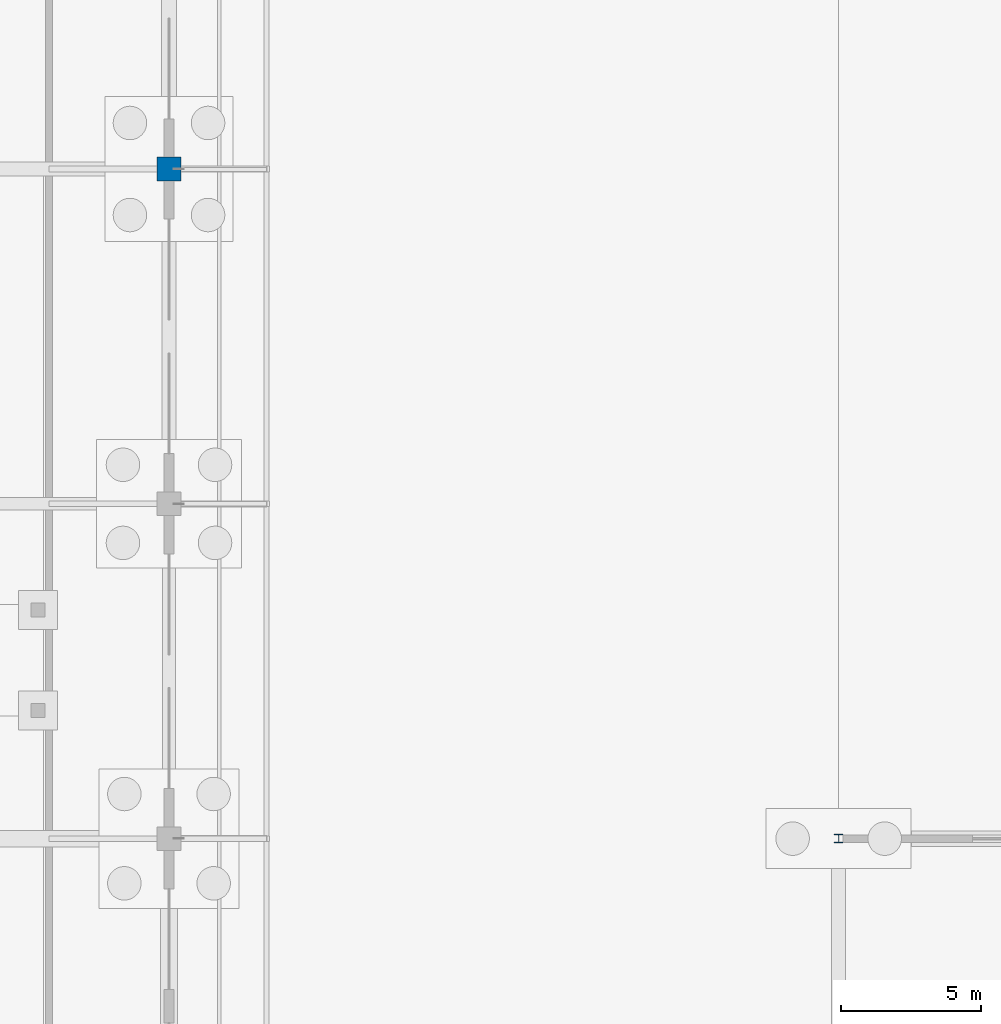
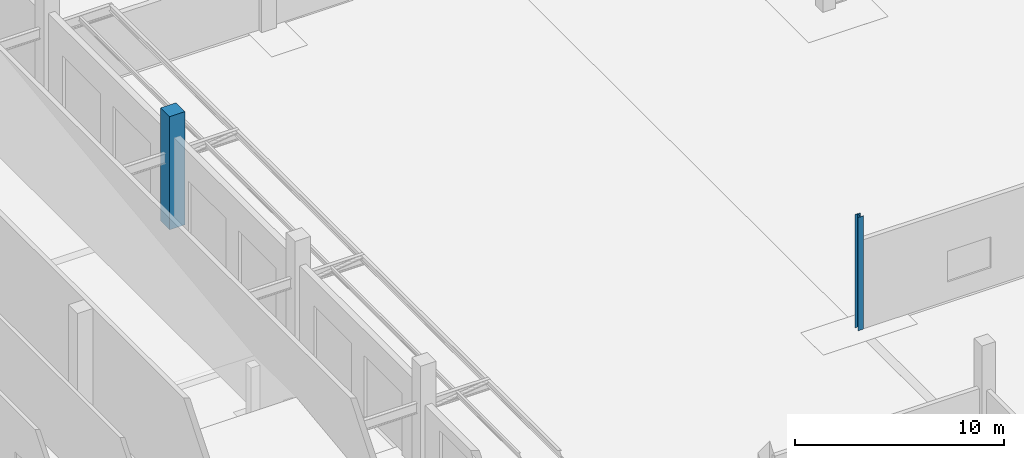
# One storey, part 18 of 117: 2 columns.
"""IFC4 building model written with IfcOpenShell, lengths in metres."""

from ifc_helpers import new_model, si_unit, direction, frame, origin, origin_2d, place, context, subcontext, project, spatial, rectangle, i_section, extrude, material, material_profile, profile_set, type_object, element, save


model = new_model("IFC4")

# Units and contexts
model_context = context("Model", 3, precision=1e-05, world=origin(), true_north=direction((0.0, 1.0)))
body_context = subcontext(model_context, "Body", "Model", "MODEL_VIEW")
ifc_project = project(units=[si_unit("LENGTHUNIT", "METRE"), si_unit("AREAUNIT", "SQUARE_METRE"), si_unit("VOLUMEUNIT", "CUBIC_METRE"), si_unit("PLANEANGLEUNIT", "RADIAN"), si_unit("MASSUNIT", "GRAM", prefix="KILO")], contexts=[model_context])

# Site, building, storey
site_placement = place(None, origin())
site = spatial("IfcSite", under=ifc_project, at=site_placement, CompositionType="ELEMENT")
building_placement = place(site_placement, origin())
building = spatial("IfcBuilding", under=site, at=building_placement, Name="Kamomehara Wholesale Market", CompositionType="ELEMENT")
storey_placement = place(building_placement, origin())
storey = spatial("IfcBuildingStorey", under=building, at=storey_placement, Name="L00", CompositionType="ELEMENT", Elevation=0.0)

# Columns
ifc_material_1 = material(Name="Precast concrete Fc45 (C40/50)", Category="concrete")
ifc_material_profile_1 = material_profile(ifc_material_1, rectangle(XDim=0.85009765625, YDim=0.85009765625, at=origin_2d()), Name="PC-COL-850x850")
ifc_profile_set_1 = profile_set([ifc_material_profile_1], Name="Precast concrete Fc45 (C40/50)")
column_type_1 = type_object("IfcColumnType", Name="COL-PC850-EXT", PredefinedType="COLUMN", material=ifc_profile_set_1)
column_1_placement = place(storey_placement, frame((36.0, 96.0, 0.0), z_axis=(0.0, 0.0, 1.0), x_axis=(1.0, 0.0, 0.0)))
element("IfcColumn", 1, at=column_1_placement, inside=storey, type_object=column_type_1, Name="Column C-02E L00", PredefinedType="COLUMN", context=body_context, shape_type="SweptSolid", body=[
    extrude(rectangle(XDim=0.85009765625, YDim=0.85009765625, at=origin_2d()), origin(), (0.0, 0.0, 1.0), 6.60009765625),
])
ifc_material_2 = material(Name="Steel SN490B", Category="steel")
ifc_material_profile_2 = material_profile(ifc_material_2, i_section(OverallWidth=0.300048828125, OverallDepth=0.300048828125, WebThickness=0.010009765625, FlangeThickness=0.014892578125, FilletRadius=0.012939453125, at=origin_2d()), Name="H-300x300x10x15")
ifc_profile_set_2 = profile_set([ifc_material_profile_2], Name="Steel SN490B")
column_type_2 = type_object("IfcColumnType", Name="COL-ST-H300-EXT", PredefinedType="COLUMN", material=ifc_profile_set_2)
column_2_placement = place(storey_placement, frame((60.0, 72.0, 0.0), z_axis=(0.0, 0.0, 1.0), x_axis=(1.0, 0.0, 0.0)))
element("IfcColumn", 2, at=column_2_placement, inside=storey, type_object=column_type_2, Name="Column CS-03E L00", PredefinedType="COLUMN", context=body_context, shape_type="SweptSolid", body=[
    extrude(i_section(OverallWidth=0.300048828125, OverallDepth=0.300048828125, WebThickness=0.010009765625, FlangeThickness=0.014892578125, FilletRadius=0.012939453125, at=origin_2d()), origin(), (0.0, 0.0, 1.0), 6.60009765625),
])

save(model, "model.ifc")
